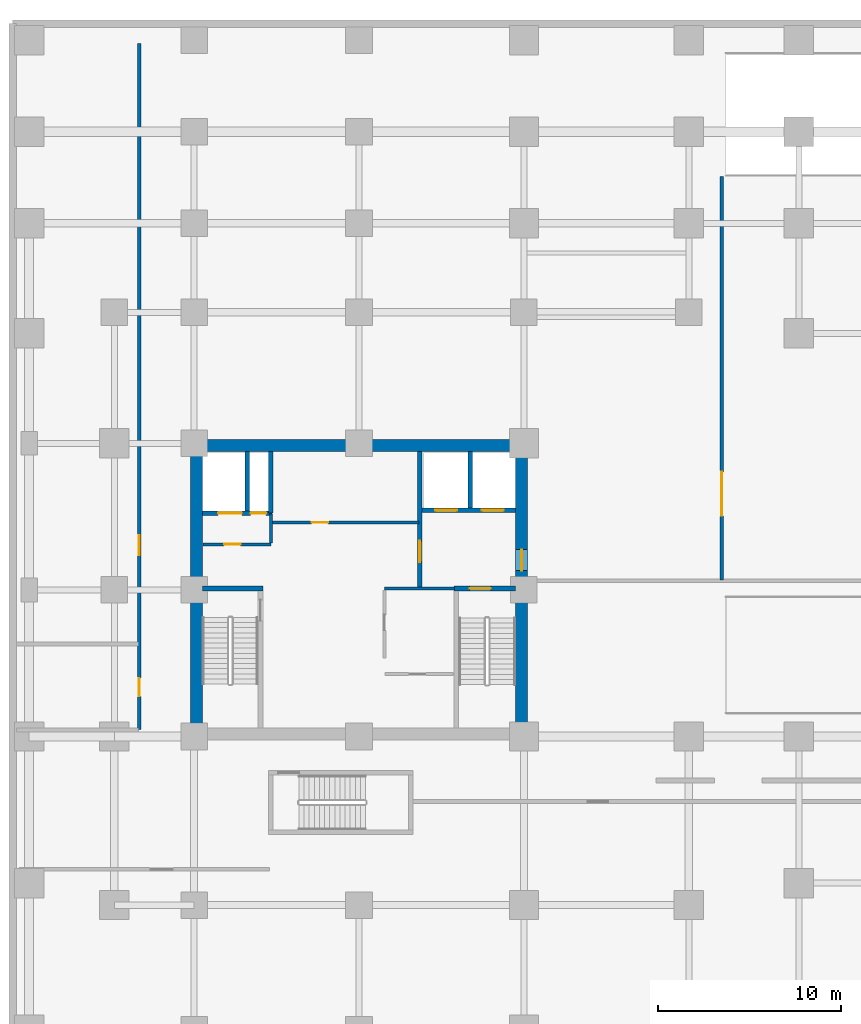
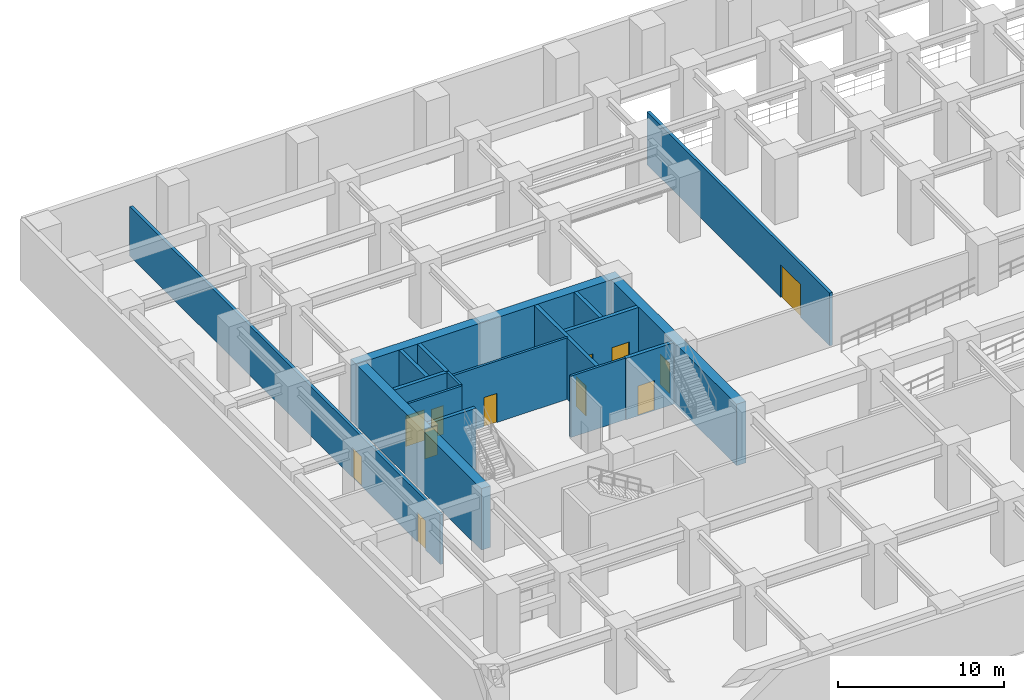
# One storey, part 6 of 9: 17 walls, 12 doors, 12 openings.
"""IFC4 building model written with IfcOpenShell, lengths in metres."""

from ifc_helpers import new_model, si_unit, direction, frame, frame_2d, origin, place, context, subcontext, project, spatial, rectangle, extrude, source, transform, mapped, material, layer, layer_set, type_object, element, fill, save


model = new_model("IFC4")

# Units and contexts
model_context = context("Model", 3, precision=1e-05, world=origin(), true_north=direction((0.0, 1.0)))
body_context = subcontext(model_context, "Body", "Model", "MODEL_VIEW")
ifc_project = project(units=[si_unit("LENGTHUNIT", "METRE"), si_unit("AREAUNIT", "SQUARE_METRE"), si_unit("VOLUMEUNIT", "CUBIC_METRE"), si_unit("PLANEANGLEUNIT", "RADIAN"), si_unit("MASSUNIT", "GRAM", prefix="KILO")], contexts=[model_context])

# Site, building, storey
site_placement = place(None, origin())
site = spatial("IfcSite", under=ifc_project, at=site_placement, CompositionType="ELEMENT")
building_placement = place(site_placement, origin())
building = spatial("IfcBuilding", under=site, at=building_placement, Name="Torre Montelarca", CompositionType="ELEMENT")
storey_placement = place(building_placement, frame((0.0, 0.0, -4.800048828125)))
storey = spatial("IfcBuildingStorey", under=building, at=storey_placement, Name="B1", CompositionType="ELEMENT", Elevation=-4.800048828125)

# Wall
ifc_material_1 = material(Name="Concrete C40/50", Category="concrete")
ifc_layer_1 = layer(ifc_material_1, 0.25, Name="Concrete C40/50", Category="concrete")
ifc_layer_set_1 = layer_set([ifc_layer_1], Name="Concrete C40/50")
wall_type_1 = type_object("IfcWallType", Name="CW-SHAFT-250", PredefinedType="SHEAR", material=ifc_layer_set_1)
wall_1_placement = place(storey_placement, frame((9.4599609375, 32.074951171875, 0.0), z_axis=(0.0, 0.0, 1.0), x_axis=(1.0, 0.0, 0.0)))
element("IfcWall", 1, at=wall_1_placement, inside=storey, type_object=wall_type_1, Name="B1 Core Shear Wall SH-ST1-N", PredefinedType="SHEAR", context=body_context, shape_type="SweptSolid", body=[
    extrude(rectangle(XDim=3.2900390625, YDim=0.25, at=frame_2d((1.64501953125, 0.0))), origin(), (0.0, 0.0, 1.0), 4.52001953125),
])

# Wall, opening, door
wall_2_placement = place(storey_placement, frame((23.18994140625, 32.074951171875, 0.0), z_axis=(0.0, 0.0, 1.0), x_axis=(1.0, 0.0, 0.0)))
wall_2 = element("IfcWall", 2, at=wall_2_placement, inside=storey, type_object=wall_type_1, Name="B1 Core Shear Wall SH-ST2-N", PredefinedType="SHEAR", context=body_context, shape_type="SweptSolid", body=[
    extrude(rectangle(XDim=3.35009765625, YDim=0.25, at=frame_2d((1.675048828125, 0.0))), origin(), (0.0, 0.0, 1.0), 4.52001953125),
])
opening_1_placement = place(wall_2_placement, frame((0.85009765625, 0.0, 0.0)))
opening_1 = element("IfcOpeningElement", 3, at=opening_1_placement, cuts=wall_2, Name="Opening FD-ST1", PredefinedType="OPENING", context=body_context, shape_type="SweptSolid", body=[
    extrude(rectangle(XDim=1.14990234375, YDim=2.199951171875, at=frame_2d((0.574951171875, 1.10009765625))), frame((0.0, 0.135009765625, 0.0), z_axis=(0.0, -1.0, 0.0), x_axis=(1.0, 0.0, 0.0)), (0.0, 0.0, 1.0), 0.27001953125),
])
ifc_material_2 = material(Name="Galvanized steel fire door", Category="steel")
door_type_1 = type_object("IfcDoorType", Name="DR-STAIR-115", OperationType="NOTDEFINED", PredefinedType="DOOR", material=ifc_material_2)
shared_shape_1 = source(origin(), body_context, "Body", "SweptSolid", [
    extrude(rectangle(XDim=1.14990234375, YDim=2.199951171875, at=frame_2d((0.574951171875, 1.10009765625))), frame((0.0, 0.02490234375, 0.0), z_axis=(0.0, -1.0, 0.0), x_axis=(1.0, 0.0, 0.0)), (0.0, 0.0, 1.0), 0.050048828125),
])
door_1_placement = place(opening_1_placement, origin())
door_1 = element("IfcDoor", 4, at=door_1_placement, inside=storey, type_object=door_type_1, Name="B1 Exit Stair ST2 Fire Door", OperationType="SINGLE_SWING_RIGHT", OverallHeight=2.199951171875, OverallWidth=1.14990234375, PredefinedType="DOOR", context=body_context, shape_type="MappedRepresentation", body=[
    mapped(shared_shape_1, transform((0.0, 0.0, 0.0), scale=1.0)),
])
fill(opening_1, door_1)

wall_3_placement = place(storey_placement, frame((21.320068359375, 32.1201171875, 0.0), z_axis=(0.0, 0.0, 1.0), x_axis=(0.0, 1.0, 0.0)))
wall_3 = element("IfcWall", 5, at=wall_3_placement, inside=storey, type_object=wall_type_1, Name="B1 Core Shear Wall SH-FFL-W", PredefinedType="SHEAR", context=body_context, shape_type="SweptSolid", body=[
    extrude(rectangle(XDim=7.419921875, YDim=0.25, at=frame_2d((3.7099609375, 0.0))), origin(), (0.0, 0.0, 1.0), 4.52001953125),
])
opening_2_placement = place(wall_3_placement, frame((1.39990234375, 0.0, 0.0)))
opening_2 = element("IfcOpeningElement", 6, at=opening_2_placement, cuts=wall_3, Name="Opening FD-LB1", PredefinedType="OPENING", context=body_context, shape_type="SweptSolid", body=[
    extrude(rectangle(XDim=1.14990234375, YDim=2.199951171875, at=frame_2d((0.574951171875, 1.10009765625))), frame((0.0, 0.135009765625, 0.0), z_axis=(0.0, -1.0, 0.0), x_axis=(1.0, 0.0, 0.0)), (0.0, 0.0, 1.0), 0.27001953125),
])
ifc_material_3 = material(Name="Acoustic timber-veneered fire door", Category="wood")
door_type_2 = type_object("IfcDoorType", Name="DR-LOBBY-115", OperationType="NOTDEFINED", PredefinedType="DOOR", material=ifc_material_3)
shared_shape_2 = source(origin(), body_context, "Body", "SweptSolid", [
    extrude(rectangle(XDim=1.14990234375, YDim=2.199951171875, at=frame_2d((0.574951171875, 1.10009765625))), frame((0.0, 0.02490234375, 0.0), z_axis=(0.0, -1.0, 0.0), x_axis=(1.0, 0.0, 0.0)), (0.0, 0.0, 1.0), 0.050048828125),
])
door_2_placement = place(opening_2_placement, origin())
door_2 = element("IfcDoor", 7, at=door_2_placement, inside=storey, type_object=door_type_2, Name="B1 Lift Lobby to Firefighting Lobby Smoke Door", OperationType="SINGLE_SWING_LEFT", OverallHeight=2.199951171875, OverallWidth=1.14990234375, PredefinedType="DOOR", context=body_context, shape_type="MappedRepresentation", body=[
    mapped(shared_shape_2, transform((0.0, 0.0, 0.0), scale=1.0)),
])
fill(opening_2, door_2)

# Wall, openings, doors
wall_4_placement = place(storey_placement, frame((9.4599609375, 36.179931640625, 0.0), z_axis=(0.0, 0.0, 1.0), x_axis=(1.0, 0.0, 0.0)))
wall_4 = element("IfcWall", 8, at=wall_4_placement, inside=storey, type_object=wall_type_1, Name="B1 Core Shear Wall SH-SV1-S", PredefinedType="SHEAR", context=body_context, shape_type="SweptSolid", body=[
    extrude(rectangle(XDim=3.7900390625, YDim=0.25, at=frame_2d((1.89501953125, 0.0))), origin(), (0.0, 0.0, 1.0), 4.52001953125),
])
opening_3_placement = place(wall_4_placement, frame((2.6201171875, 0.0, 0.0)))
opening_3 = element("IfcOpeningElement", 9, at=opening_3_placement, cuts=wall_4, Name="Opening FD-085", PredefinedType="OPENING", context=body_context, shape_type="SweptSolid", body=[
    extrude(rectangle(XDim=0.85009765625, YDim=2.10009765625, at=frame_2d((0.425048828125, 1.050048828125))), frame((0.0, 0.135009765625, 0.0), z_axis=(0.0, -1.0, 0.0), x_axis=(1.0, 0.0, 0.0)), (0.0, 0.0, 1.0), 0.27001953125),
])
opening_4_placement = place(wall_4_placement, frame((0.85009765625, 0.0, 0.0)))
opening_4 = element("IfcOpeningElement", 10, at=opening_4_placement, cuts=wall_4, Name="Opening LD-130", PredefinedType="OPENING", context=body_context, shape_type="SweptSolid", body=[
    extrude(rectangle(XDim=1.300048828125, YDim=2.25, at=frame_2d((0.64990234375, 1.125))), frame((0.0, 0.135009765625, 0.0), z_axis=(0.0, -1.0, 0.0), x_axis=(1.0, 0.0, 0.0)), (0.0, 0.0, 1.0), 0.27001953125),
])
ifc_material_4 = material(Name="Steel riser access fire door", Category="steel")
door_type_3 = type_object("IfcDoorType", Name="DR-RISER-085", OperationType="NOTDEFINED", PredefinedType="DOOR", material=ifc_material_4)
shared_shape_3 = source(origin(), body_context, "Body", "SweptSolid", [
    extrude(rectangle(XDim=0.85009765625, YDim=2.10009765625, at=frame_2d((0.425048828125, 1.050048828125))), frame((0.0, 0.02490234375, 0.0), z_axis=(0.0, -1.0, 0.0), x_axis=(1.0, 0.0, 0.0)), (0.0, 0.0, 1.0), 0.050048828125),
])
door_3_placement = place(opening_3_placement, origin())
door_3 = element("IfcDoor", 11, at=door_3_placement, inside=storey, type_object=door_type_3, Name="B1 Electrical Riser Shaft Access Door", OperationType="SINGLE_SWING_RIGHT", OverallHeight=2.10009765625, OverallWidth=0.85009765625, PredefinedType="DOOR", context=body_context, shape_type="MappedRepresentation", body=[
    mapped(shared_shape_3, transform((0.0, 0.0, 0.0), scale=1.0)),
])
fill(opening_3, door_3)
ifc_material_5 = material(Name="Brushed stainless steel AISI 316", Category="steel")
door_type_4 = type_object("IfcDoorType", Name="DR-LIFT-130", OperationType="SLIDING_TO_LEFT", PredefinedType="DOOR", material=ifc_material_5)
shared_shape_4 = source(origin(), body_context, "Body", "SweptSolid", [
    extrude(rectangle(XDim=1.300048828125, YDim=2.25, at=frame_2d((0.64990234375, 1.125))), frame((0.0, 0.02490234375, 0.0), z_axis=(0.0, -1.0, 0.0), x_axis=(1.0, 0.0, 0.0)), (0.0, 0.0, 1.0), 0.050048828125),
])
door_4_placement = place(opening_4_placement, origin())
door_4 = element("IfcDoor", 12, at=door_4_placement, inside=storey, type_object=door_type_4, Name="B1 Lift Landing Sliding Door SV-1", OperationType="SLIDING_TO_LEFT", OverallHeight=2.25, OverallWidth=1.300048828125, PredefinedType="DOOR", context=body_context, shape_type="MappedRepresentation", body=[
    mapped(shared_shape_4, transform((0.0, 0.0, 0.0), scale=1.0)),
])
fill(opening_4, door_4)

# Wall
wall_5_placement = place(storey_placement, frame((11.89990234375, 36.31005859375, 0.0), z_axis=(0.0, 0.0, 1.0), x_axis=(0.0, 1.0, 0.0)))
element("IfcWall", 13, at=wall_5_placement, inside=storey, type_object=wall_type_1, Name="B1 Core Shear Wall SH-SV1-E", PredefinedType="SHEAR", context=body_context, shape_type="SweptSolid", body=[
    extrude(rectangle(XDim=3.22998046875, YDim=0.25, at=frame_2d((1.614990234375, 0.0))), origin(), (0.0, 0.0, 1.0), 4.52001953125),
])

# Wall, openings, doors
wall_6_placement = place(storey_placement, frame((21.449951171875, 36.35009765625, 0.0), z_axis=(0.0, 0.0, 1.0), x_axis=(1.0, 0.0, 0.0)))
wall_6 = element("IfcWall", 14, at=wall_6_placement, inside=storey, type_object=wall_type_1, Name="B1 Core Shear Wall SH-FF-S", PredefinedType="SHEAR", context=body_context, shape_type="SweptSolid", body=[
    extrude(rectangle(XDim=5.090087890625, YDim=0.25, at=frame_2d((2.544921875, 0.0))), origin(), (0.0, 0.0, 1.0), 4.52001953125),
])
opening_5_placement = place(wall_6_placement, frame((0.699951171875, 0.0, 0.0)))
opening_5 = element("IfcOpeningElement", 15, at=opening_5_placement, cuts=wall_6, Name="Opening LD-120", PredefinedType="OPENING", context=body_context, shape_type="SweptSolid", body=[
    extrude(rectangle(XDim=1.199951171875, YDim=2.199951171875, at=frame_2d((0.60009765625, 1.10009765625))), frame((0.0, 0.135009765625, 0.0), z_axis=(0.0, -1.0, 0.0), x_axis=(1.0, 0.0, 0.0)), (0.0, 0.0, 1.0), 0.27001953125),
])
opening_6_placement = place(wall_6_placement, frame((3.25, 0.0, 0.0)))
opening_6 = element("IfcOpeningElement", 16, at=opening_6_placement, cuts=wall_6, Name="Opening LD-120", PredefinedType="OPENING", context=body_context, shape_type="SweptSolid", body=[
    extrude(rectangle(XDim=1.199951171875, YDim=2.199951171875, at=frame_2d((0.60009765625, 1.10009765625))), frame((0.0, 0.135009765625, 0.0), z_axis=(0.0, -1.0, 0.0), x_axis=(1.0, 0.0, 0.0)), (0.0, 0.0, 1.0), 0.27001953125),
])
door_type_5 = type_object("IfcDoorType", Name="DR-LIFT-120", OperationType="SLIDING_TO_RIGHT", PredefinedType="DOOR", material=ifc_material_5)
shared_shape_5 = source(origin(), body_context, "Body", "SweptSolid", [
    extrude(rectangle(XDim=1.199951171875, YDim=2.199951171875, at=frame_2d((0.60009765625, 1.10009765625))), frame((0.0, 0.02490234375, 0.0), z_axis=(0.0, -1.0, 0.0), x_axis=(1.0, 0.0, 0.0)), (0.0, 0.0, 1.0), 0.050048828125),
])
door_5_placement = place(opening_5_placement, origin())
door_5 = element("IfcDoor", 17, at=door_5_placement, inside=storey, type_object=door_type_5, Name="B1 Lift Landing Sliding Door FF-1", OperationType="SLIDING_TO_LEFT", OverallHeight=2.199951171875, OverallWidth=1.199951171875, PredefinedType="DOOR", context=body_context, shape_type="MappedRepresentation", body=[
    mapped(shared_shape_5, transform((0.0, 0.0, 0.0), scale=1.0)),
])
fill(opening_5, door_5)
door_6_placement = place(opening_6_placement, origin())
door_6 = element("IfcDoor", 18, at=door_6_placement, inside=storey, type_object=door_type_5, Name="B1 Lift Landing Sliding Door FF-2", OperationType="SLIDING_TO_RIGHT", OverallHeight=2.199951171875, OverallWidth=1.199951171875, PredefinedType="DOOR", context=body_context, shape_type="MappedRepresentation", body=[
    mapped(shared_shape_5, transform((0.0, 0.0, 0.0), scale=1.0)),
])
fill(opening_6, door_6)

# Walls
wall_7_placement = place(storey_placement, frame((24.080078125, 36.47998046875, 0.0), z_axis=(0.0, 0.0, 1.0), x_axis=(0.0, 1.0, 0.0)))
element("IfcWall", 19, at=wall_7_placement, inside=storey, type_object=wall_type_1, Name="B1 Core Shear Wall SH-FF-M", PredefinedType="SHEAR", context=body_context, shape_type="SweptSolid", body=[
    extrude(rectangle(XDim=3.06005859375, YDim=0.25, at=frame_2d((1.530029296875, 0.0))), origin(), (0.0, 0.0, 1.0), 4.52001953125),
])
wall_8_placement = place(storey_placement, frame((13.179931640625, 36.199951171875, 0.0), z_axis=(0.0, 0.0, 1.0), x_axis=(0.0, 1.0, 0.0)))
element("IfcWall", 20, at=wall_8_placement, inside=storey, type_object=wall_type_1, Name="B1 Core Shear Wall SH-RSR1-E", PredefinedType="SHEAR", context=body_context, shape_type="SweptSolid", body=[
    extrude(rectangle(XDim=3.340087890625, YDim=0.25, at=frame_2d((1.669921875, 0.0))), origin(), (0.0, 0.0, 1.0), 4.52001953125),
])
ifc_material_6 = material(Name="Concrete C70/85", Category="concrete")
ifc_layer_2 = layer(ifc_material_6, 0.64990234375, Name="Concrete C70/85", Category="concrete")
ifc_layer_set_2 = layer_set([ifc_layer_2], Name="Concrete C70/85")
wall_type_2 = type_object("IfcWallType", Name="CW-SHEAR-650", PredefinedType="SHEAR", material=ifc_layer_set_2)
wall_9_placement = place(storey_placement, frame((9.125, 24.449951171875, 0.0), z_axis=(0.0, 0.0, 1.0), x_axis=(0.0, 1.0, 0.0)))
element("IfcWall", 21, at=wall_9_placement, inside=storey, type_object=wall_type_2, Name="B1 Core Shear Wall CW-W", PredefinedType="SHEAR", context=body_context, shape_type="SweptSolid", body=[
    extrude(rectangle(XDim=15.10009765625, YDim=0.64990234375, at=frame_2d((7.550048828125, 0.0))), origin(), (0.0, 0.0, 1.0), 4.52001953125),
])

# Wall, opening, door
wall_10_placement = place(storey_placement, frame((26.875, 24.449951171875, 0.0), z_axis=(0.0, 0.0, 1.0), x_axis=(0.0, 1.0, 0.0)))
wall_10 = element("IfcWall", 22, at=wall_10_placement, inside=storey, type_object=wall_type_2, Name="B1 Core Shear Wall CW-E", PredefinedType="SHEAR", context=body_context, shape_type="SweptSolid", body=[
    extrude(rectangle(XDim=15.10009765625, YDim=0.64990234375, at=frame_2d((7.550048828125, 0.0))), origin(), (0.0, 0.0, 1.0), 4.52001953125),
])
opening_7_placement = place(wall_10_placement, frame((8.60009765625, 0.0, 0.0)))
opening_7 = element("IfcOpeningElement", 23, at=opening_7_placement, cuts=wall_10, Name="Opening FD-LB1", PredefinedType="OPENING", context=body_context, shape_type="SweptSolid", body=[
    extrude(rectangle(XDim=1.14990234375, YDim=2.199951171875, at=frame_2d((0.574951171875, 1.10009765625))), frame((0.0, 0.3349609375, 0.0), z_axis=(0.0, -1.0, 0.0), x_axis=(1.0, 0.0, 0.0)), (0.0, 0.0, 1.0), 0.669921875),
])
door_7_placement = place(opening_7_placement, origin())
door_7 = element("IfcDoor", 24, at=door_7_placement, inside=storey, type_object=door_type_2, Name="B1 Firefighting Lift Lobby Corridor Fire Door", OperationType="SINGLE_SWING_RIGHT", OverallHeight=2.199951171875, OverallWidth=1.14990234375, PredefinedType="DOOR", context=body_context, shape_type="MappedRepresentation", body=[
    mapped(shared_shape_2, transform((0.0, 0.0, 0.0), scale=1.0)),
])
fill(opening_7, door_7)

# Wall
wall_11_placement = place(storey_placement, frame((8.800048828125, 39.875, 0.0), z_axis=(0.0, 0.0, 1.0), x_axis=(1.0, 0.0, 0.0)))
element("IfcWall", 25, at=wall_11_placement, inside=storey, type_object=wall_type_2, Name="B1 Core Shear Wall CW-N1", PredefinedType="SHEAR", context=body_context, shape_type="SweptSolid", body=[
    extrude(rectangle(XDim=18.39990234375, YDim=0.64990234375, at=frame_2d((9.199951171875, 0.0))), origin(), (0.0, 0.0, 1.0), 4.52001953125),
])

# Wall, opening, door
ifc_material_7 = material(Name="Gypsum plasterboard on steel stud", Category="steel")
ifc_layer_3 = layer(ifc_material_7, 0.159912109375, Name="Gypsum plasterboard on steel stud", Category="steel")
ifc_layer_set_3 = layer_set([ifc_layer_3], Name="Gypsum plasterboard on steel stud")
wall_type_3 = type_object("IfcWallType", Name="PW-FIRE-160", PredefinedType="PARTITIONING", material=ifc_layer_set_3)
wall_12_placement = place(storey_placement, frame((9.489990234375, 34.47998046875, 0.0), z_axis=(0.0, 0.0, 1.0), x_axis=(1.0, 0.0, 0.0)))
wall_12 = element("IfcWall", 26, at=wall_12_placement, inside=storey, type_object=wall_type_3, Name="B1 Interior Partition CW-B1-SVS", PredefinedType="PARTITIONING", context=body_context, shape_type="SweptSolid", body=[
    extrude(rectangle(XDim=3.699951171875, YDim=0.159912109375, at=frame_2d((1.85009765625, 0.0))), origin(), (0.0, 0.0, 1.0), 4.52001953125),
])
opening_8_placement = place(wall_12_placement, frame((1.14990234375, 0.0, 0.0)))
opening_8 = element("IfcOpeningElement", 27, at=opening_8_placement, cuts=wall_12, Name="Opening FD-090", PredefinedType="OPENING", context=body_context, shape_type="SweptSolid", body=[
    extrude(rectangle(XDim=0.89990234375, YDim=2.14990234375, at=frame_2d((0.449951171875, 1.074951171875))), frame((0.0, 0.08984375, 0.0), z_axis=(0.0, -1.0, 0.0), x_axis=(1.0, 0.0, 0.0)), (0.0, 0.0, 1.0), 0.179931640625),
])
ifc_material_8 = material(Name="Steel service fire door", Category="steel")
door_type_6 = type_object("IfcDoorType", Name="DR-FIRE-090", OperationType="NOTDEFINED", PredefinedType="DOOR", material=ifc_material_8)
shared_shape_6 = source(origin(), body_context, "Body", "SweptSolid", [
    extrude(rectangle(XDim=0.89990234375, YDim=2.14990234375, at=frame_2d((0.449951171875, 1.074951171875))), frame((0.0, 0.02490234375, 0.0), z_axis=(0.0, -1.0, 0.0), x_axis=(1.0, 0.0, 0.0)), (0.0, 0.0, 1.0), 0.050048828125),
])
door_8_placement = place(opening_8_placement, origin())
door_8 = element("IfcDoor", 28, at=door_8_placement, inside=storey, type_object=door_type_6, Name="B1 Interior Door 01", OperationType="SINGLE_SWING_RIGHT", OverallHeight=2.14990234375, OverallWidth=0.89990234375, PredefinedType="DOOR", context=body_context, shape_type="MappedRepresentation", body=[
    mapped(shared_shape_6, transform((0.0, 0.0, 0.0), scale=1.0)),
])
fill(opening_8, door_8)

# Wall
wall_13_placement = place(storey_placement, frame((13.199951171875, 34.570068359375, 0.0), z_axis=(0.0, 0.0, 1.0), x_axis=(0.0, 1.0, 0.0)))
element("IfcWall", 29, at=wall_13_placement, inside=storey, type_object=wall_type_3, Name="B1 Interior Partition CW-B1-SVE", PredefinedType="PARTITIONING", context=body_context, shape_type="SweptSolid", body=[
    extrude(rectangle(XDim=1.56982421875, YDim=0.159912109375, at=frame_2d((0.784912109375, 0.0))), origin(), (0.0, 0.0, 1.0), 4.52001953125),
])

# Wall, opening, door
wall_14_placement = place(storey_placement, frame((13.2099609375, 35.679931640625, 0.0), z_axis=(0.0, 0.0, 1.0), x_axis=(1.0, 0.0, 0.0)))
wall_14 = element("IfcWall", 30, at=wall_14_placement, inside=storey, type_object=wall_type_3, Name="B1 Interior Partition CW-B1-BMN", PredefinedType="PARTITIONING", context=body_context, shape_type="SweptSolid", body=[
    extrude(rectangle(XDim=8.06005859375, YDim=0.159912109375, at=frame_2d((4.030029296875, 0.0))), origin(), (0.0, 0.0, 1.0), 4.52001953125),
])
opening_9_placement = place(wall_14_placement, frame((2.199951171875, 0.0, 0.0)))
opening_9 = element("IfcOpeningElement", 31, at=opening_9_placement, cuts=wall_14, Name="Opening FD-090", PredefinedType="OPENING", context=body_context, shape_type="SweptSolid", body=[
    extrude(rectangle(XDim=0.89990234375, YDim=2.14990234375, at=frame_2d((0.449951171875, 1.074951171875))), frame((0.0, 0.08984375, 0.0), z_axis=(0.0, -1.0, 0.0), x_axis=(1.0, 0.0, 0.0)), (0.0, 0.0, 1.0), 0.179931640625),
])
door_9_placement = place(opening_9_placement, origin())
door_9 = element("IfcDoor", 32, at=door_9_placement, inside=storey, type_object=door_type_6, Name="B1 Interior Door 02", OperationType="SINGLE_SWING_LEFT", OverallHeight=2.14990234375, OverallWidth=0.89990234375, PredefinedType="DOOR", context=body_context, shape_type="MappedRepresentation", body=[
    mapped(shared_shape_6, transform((0.0, 0.0, 0.0), scale=1.0)),
])
fill(opening_9, door_9)

# Wall
wall_15_placement = place(storey_placement, frame((19.389892578125, 32.080078125, 0.0), z_axis=(0.0, 0.0, 1.0), x_axis=(1.0, 0.0, 0.0)))
element("IfcWall", 33, at=wall_15_placement, inside=storey, type_object=wall_type_3, Name="B1 Interior Partition CW-B1-SEN", PredefinedType="PARTITIONING", context=body_context, shape_type="SweptSolid", body=[
    extrude(rectangle(XDim=3.820068359375, YDim=0.159912109375, at=frame_2d((1.91015625, 0.0))), origin(), (0.0, 0.0, 1.0), 4.52001953125),
])

# Wall, openings, doors
ifc_material_9 = material(Name="Gypsum fireboard and rockwool on steel stud", Category="steel")
ifc_layer_4 = layer(ifc_material_9, 0.199951171875, Name="Gypsum fireboard and rockwool on steel stud", Category="steel")
ifc_layer_set_4 = layer_set([ifc_layer_4], Name="Gypsum fireboard and rockwool on steel stud")
wall_type_4 = type_object("IfcWallType", Name="PW-FIRE-200", PredefinedType="SOLIDWALL", material=ifc_layer_set_4)
wall_16_placement = place(storey_placement, frame((6.0, 24.389892578125, 0.0), z_axis=(0.0, 0.0, 1.0), x_axis=(0.0, 1.0, 0.0)))
wall_16 = element("IfcWall", 34, at=wall_16_placement, inside=storey, type_object=wall_type_4, Name="B1 Interior Partition W-B1-P0", PredefinedType="SOLIDWALL", context=body_context, shape_type="SweptSolid", body=[
    extrude(rectangle(XDim=37.420166015625, YDim=0.199951171875, at=frame_2d((18.7099609375, 0.0))), origin(), (0.0, 0.0, 1.0), 3.649658203125),
])
opening_10_placement = place(wall_16_placement, frame((1.800048828125, 0.0, 0.0)))
opening_10 = element("IfcOpeningElement", 35, at=opening_10_placement, cuts=wall_16, Name="Opening FD-100", PredefinedType="OPENING", context=body_context, shape_type="SweptSolid", body=[
    extrude(rectangle(XDim=1.0, YDim=2.14990234375, at=frame_2d((0.5, 1.074951171875))), frame((0.0, 0.10986328125, 0.0), z_axis=(0.0, -1.0, 0.0), x_axis=(1.0, 0.0, 0.0)), (0.0, 0.0, 1.0), 0.219970703125),
])
opening_11_placement = place(wall_16_placement, frame((9.5, 0.0, 0.0)))
opening_11 = element("IfcOpeningElement", 36, at=opening_11_placement, cuts=wall_16, Name="Opening FD-110", PredefinedType="OPENING", context=body_context, shape_type="SweptSolid", body=[
    extrude(rectangle(XDim=1.10009765625, YDim=2.199951171875, at=frame_2d((0.550048828125, 1.10009765625))), frame((0.0, 0.10986328125, 0.0), z_axis=(0.0, -1.0, 0.0), x_axis=(1.0, 0.0, 0.0)), (0.0, 0.0, 1.0), 0.219970703125),
])
ifc_material_10 = material(Name="Timber fire-rated suite door", Category="wood")
door_type_7 = type_object("IfcDoorType", Name="DR-FIRE-110", OperationType="NOTDEFINED", PredefinedType="DOOR", material=ifc_material_10)
shared_shape_7 = source(origin(), body_context, "Body", "SweptSolid", [
    extrude(rectangle(XDim=1.10009765625, YDim=2.199951171875, at=frame_2d((0.550048828125, 1.10009765625))), frame((0.0, 0.02490234375, 0.0), z_axis=(0.0, -1.0, 0.0), x_axis=(1.0, 0.0, 0.0)), (0.0, 0.0, 1.0), 0.050048828125),
])
door_10_placement = place(opening_11_placement, origin())
door_10 = element("IfcDoor", 37, at=door_10_placement, inside=storey, type_object=door_type_7, Name="B1 Interior Door 06", OperationType="SINGLE_SWING_LEFT", OverallHeight=2.199951171875, OverallWidth=1.10009765625, PredefinedType="DOOR", context=body_context, shape_type="MappedRepresentation", body=[
    mapped(shared_shape_7, transform((0.0, 0.0, 0.0), scale=1.0)),
])
fill(opening_11, door_10)
ifc_material_11 = material(Name="Timber fire-rated room door", Category="wood")
door_type_8 = type_object("IfcDoorType", Name="DR-FIRE-100", OperationType="NOTDEFINED", PredefinedType="DOOR", material=ifc_material_11)
shared_shape_8 = source(origin(), body_context, "Body", "SweptSolid", [
    extrude(rectangle(XDim=1.0, YDim=2.14990234375, at=frame_2d((0.5, 1.074951171875))), frame((0.0, 0.02490234375, 0.0), z_axis=(0.0, -1.0, 0.0), x_axis=(1.0, 0.0, 0.0)), (0.0, 0.0, 1.0), 0.050048828125),
])
door_11_placement = place(opening_10_placement, origin())
door_11 = element("IfcDoor", 38, at=door_11_placement, inside=storey, type_object=door_type_8, Name="B1 Interior Door 05", OperationType="SINGLE_SWING_RIGHT", OverallHeight=2.14990234375, OverallWidth=1.0, PredefinedType="DOOR", context=body_context, shape_type="MappedRepresentation", body=[
    mapped(shared_shape_8, transform((0.0, 0.0, 0.0), scale=1.0)),
])
fill(opening_10, door_11)

# Wall, opening, door
wall_17_placement = place(storey_placement, frame((37.800048828125, 32.5400390625, 0.0), z_axis=(0.0, 0.0, 1.0), x_axis=(0.0, 1.0, 0.0)))
wall_17 = element("IfcWall", 39, at=wall_17_placement, inside=storey, type_object=wall_type_4, Name="B1 Interior Partition W-B1-P5", PredefinedType="SOLIDWALL", context=body_context, shape_type="SweptSolid", body=[
    extrude(rectangle(XDim=22.02001953125, YDim=0.199951171875, at=frame_2d((11.010009765625, 0.0))), origin(), (0.0, 0.0, 1.0), 3.883056640625),
])
opening_12_placement = place(wall_17_placement, frame((3.5, 0.0, 0.0)))
opening_12 = element("IfcOpeningElement", 40, at=opening_12_placement, cuts=wall_17, Name="Opening VG-03", PredefinedType="OPENING", context=body_context, shape_type="SweptSolid", body=[
    extrude(rectangle(XDim=2.39990234375, YDim=2.39990234375, at=frame_2d((1.199951171875, 1.199951171875))), frame((0.0, 0.10986328125, 0.0), z_axis=(0.0, -1.0, 0.0), x_axis=(1.0, 0.0, 0.0)), (0.0, 0.0, 1.0), 0.219970703125),
])
ifc_material_12 = material(Name="Powder-coated galvanized steel", Category="steel")
door_type_9 = type_object("IfcDoorType", Name="DR-INT-GATE", OperationType="SLIDING_TO_LEFT", PredefinedType="GATE", material=ifc_material_12)
shared_shape_9 = source(origin(), body_context, "Body", "SweptSolid", [
    extrude(rectangle(XDim=2.39990234375, YDim=2.39990234375, at=frame_2d((1.199951171875, 1.199951171875))), frame((0.0, 0.02490234375, 0.0), z_axis=(0.0, -1.0, 0.0), x_axis=(1.0, 0.0, 0.0)), (0.0, 0.0, 1.0), 0.050048828125),
])
door_12_placement = place(opening_12_placement, origin())
door_12 = element("IfcDoor", 41, at=door_12_placement, inside=storey, type_object=door_type_9, Name="B1 Interior Door 09", OperationType="SLIDING_TO_LEFT", OverallHeight=2.39990234375, OverallWidth=2.39990234375, PredefinedType="GATE", context=body_context, shape_type="MappedRepresentation", body=[
    mapped(shared_shape_9, transform((0.0, 0.0, 0.0), scale=1.0)),
])
fill(opening_12, door_12)

save(model, "model.ifc")
